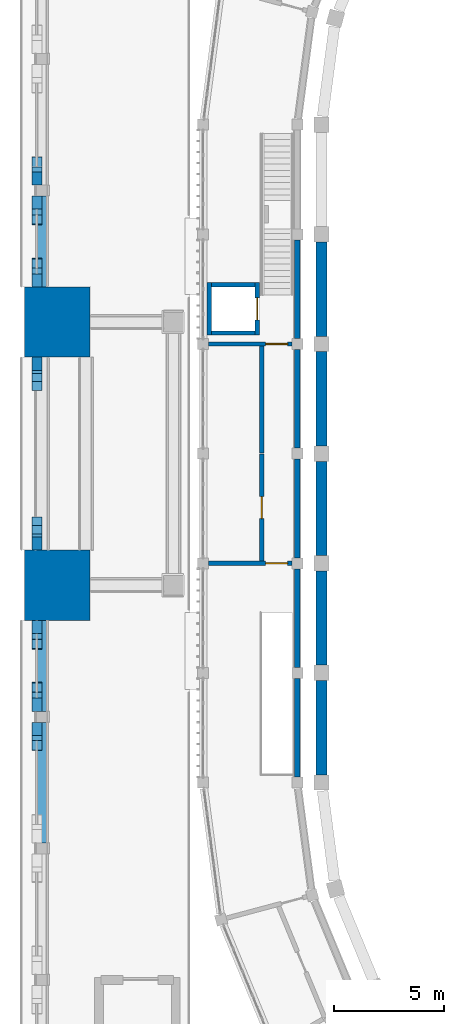
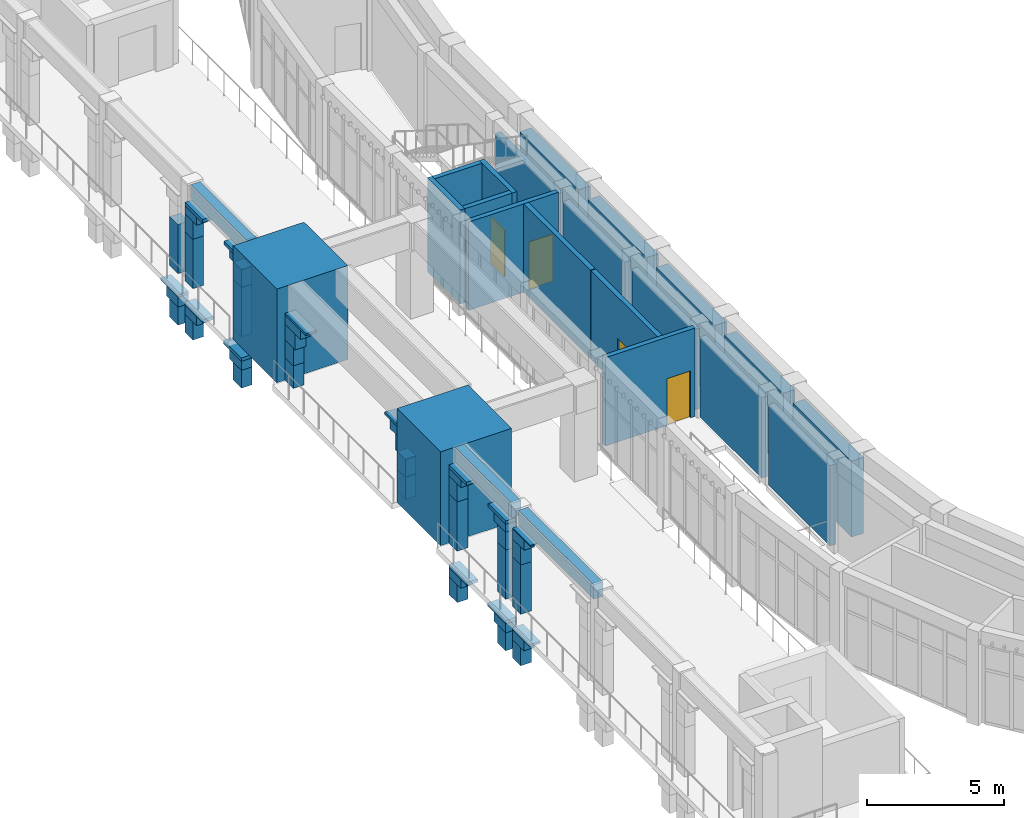
# One storey, part 56 of 99: 72 walls, 4 doors, 4 openings.
"""IFC4 building model written with IfcOpenShell, lengths in metres."""

from ifc_helpers import new_model, si_unit, direction, frame, frame_2d, origin, place, context, subcontext, project, spatial, rectangle, extrude, material, layer, layer_set, type_object, element, fill, save


model = new_model("IFC4")

# Units and contexts
model_context = context("Model", 3, precision=1e-05, world=origin(), true_north=direction((0.0, 1.0)))
body_context = subcontext(model_context, "Body", "Model", "MODEL_VIEW")
ifc_project = project(units=[si_unit("LENGTHUNIT", "METRE"), si_unit("AREAUNIT", "SQUARE_METRE"), si_unit("VOLUMEUNIT", "CUBIC_METRE"), si_unit("PLANEANGLEUNIT", "RADIAN"), si_unit("MASSUNIT", "GRAM", prefix="KILO")], contexts=[model_context])

# Site, building, storey
site_placement = place(None, origin())
site = spatial("IfcSite", under=ifc_project, at=site_placement, CompositionType="ELEMENT")
building_placement = place(site_placement, origin())
building = spatial("IfcBuilding", under=site, at=building_placement, Name="Wasatch Bagh Community Centre", CompositionType="ELEMENT")
storey_placement = place(building_placement, frame((0.0, 0.0, 4.199951171875)))
storey = spatial("IfcBuildingStorey", under=building, at=storey_placement, Name="L01", CompositionType="ELEMENT", Elevation=4.199951171875)

# Walls
ifc_material_1 = material(Name="Concrete C40", Category="concrete")
ifc_layer_1 = layer(ifc_material_1, 3.0)
ifc_layer_set_1 = layer_set([ifc_layer_1], Name="Concrete C40")
wall_type_1 = type_object("IfcWallType", Name="CP-W7", PredefinedType="STANDARD", material=ifc_layer_set_1)
for number, where, z_axis, x_axis, name in (
    (1, (5.199951171875, 42.39990234375, 0.0), (0.0, 0.0, 1.0), (0.0, 1.0, 0.0), "CP-W7 iwan masonry mass 1"),
    (2, (5.199951171875, 54.39990234375, 0.0), (0.0, 0.0, 1.0), (0.0, 1.0, 0.0), "CP-W7 iwan masonry mass 2"),
):
    element("IfcWall", number, at=place(storey_placement, frame(where, z_axis=z_axis, x_axis=x_axis)), inside=storey, type_object=wall_type_1, Name=name, PredefinedType="STANDARD", context=body_context, shape_type="SweptSolid", body=[
        extrude(rectangle(XDim=3.2001953125, YDim=3.0, at=frame_2d((1.60009765625, 0.0))), origin(), (0.0, 0.0, 1.0), 4.199951171875),
    ])
ifc_layer_2 = layer(ifc_material_1, 0.39990234375)
ifc_layer_set_2 = layer_set([ifc_layer_2], Name="Concrete C40")
wall_type_2 = type_object("IfcWallType", Name="CT-W1", PredefinedType="STANDARD", material=ifc_layer_set_2)
wall_1_placement = place(storey_placement, frame((4.5, 32.25, 3.550048828125), z_axis=(0.0, 0.0, 1.0), x_axis=(0.0, 1.0, 0.0)))
element("IfcWall", 3, at=wall_1_placement, inside=storey, type_object=wall_type_2, Name="CT-W1 terrace arcade spandrel band 3", PredefinedType="STANDARD", context=body_context, shape_type="SweptSolid", body=[
    extrude(rectangle(XDim=5.5, YDim=0.39990234375, at=frame_2d((2.75, 0.0))), origin(), (0.0, 0.0, 1.0), 0.64990234375),
])
for number, where, z_axis, x_axis, name in (
    (4, (4.5, 38.25, 3.550048828125), (0.0, 0.0, 1.0), (0.0, 1.0, 0.0), "CT-W1 terrace arcade spandrel band W1"),
    (5, (4.5, 57.60009765625, 3.550048828125), (0.0, 0.0, 1.0), (0.0, 1.0, 0.0), "CT-W1 terrace arcade spandrel band W2"),
):
    element("IfcWall", number, at=place(storey_placement, frame(where, z_axis=z_axis, x_axis=x_axis)), inside=storey, type_object=wall_type_2, Name=name, PredefinedType="STANDARD", context=body_context, shape_type="SweptSolid", body=[
        extrude(rectangle(XDim=4.14990234375, YDim=0.39990234375, at=frame_2d((2.074951171875, 0.0))), origin(), (0.0, 0.0, 1.0), 0.64990234375),
    ])
ifc_layer_3 = layer(ifc_material_1, 0.449951171875)
ifc_layer_set_3 = layer_set([ifc_layer_3], Name="Concrete C40")
wall_type_3 = type_object("IfcWallType", Name="CT-W6", PredefinedType="STANDARD", material=ifc_layer_set_3)
wall_2_placement = place(storey_placement, frame((4.27490234375, 37.75, -2.300048828125), z_axis=(0.0, 0.0, 1.0), x_axis=(0.0, -1.0, 0.0)))
element("IfcWall", 6, at=wall_2_placement, inside=storey, type_object=wall_type_3, Name="CT-W6 colonnade arch spandrel", PredefinedType="STANDARD", context=body_context, shape_type="SweptSolid", body=[
    extrude(rectangle(XDim=0.60009765625, YDim=0.449951171875, at=frame_2d((0.300048828125, 0.0))), origin(), (0.0, 0.0, 1.0), 0.800048828125),
])
wall_3_placement = place(storey_placement, frame((4.27490234375, 37.75, -1.5), z_axis=(0.0, 0.0, 1.0), x_axis=(0.0, -1.0, 0.0)))
element("IfcWall", 7, at=wall_3_placement, inside=storey, type_object=wall_type_3, Name="CT-W6 colonnade arch spandrel", PredefinedType="STANDARD", context=body_context, shape_type="SweptSolid", body=[
    extrude(rectangle(XDim=0.831298828125, YDim=0.449951171875, at=frame_2d((0.41552734375, 0.0))), origin(), (0.0, 0.0, 1.0), 0.449951171875),
])
wall_4_placement = place(storey_placement, frame((4.27490234375, 37.75, -1.050048828125), z_axis=(0.0, 0.0, 1.0), x_axis=(0.0, -1.0, 0.0)))
element("IfcWall", 8, at=wall_4_placement, inside=storey, type_object=wall_type_3, Name="CT-W6 colonnade arch spandrel", PredefinedType="STANDARD", context=body_context, shape_type="SweptSolid", body=[
    extrude(rectangle(XDim=1.271728515625, YDim=0.449951171875, at=frame_2d((0.6357421875, 0.0))), origin(), (0.0, 0.0, 1.0), 0.10009765625),
])
wall_5_placement = place(storey_placement, frame((4.27490234375, 62.25, -2.300048828125), z_axis=(0.0, 0.0, 1.0), x_axis=(0.0, 1.0, 0.0)))
element("IfcWall", 9, at=wall_5_placement, inside=storey, type_object=wall_type_3, Name="CT-W6 colonnade arch spandrel", PredefinedType="STANDARD", context=body_context, shape_type="SweptSolid", body=[
    extrude(rectangle(XDim=0.60009765625, YDim=0.449951171875, at=frame_2d((0.300048828125, 0.0))), origin(), (0.0, 0.0, 1.0), 0.800048828125),
])
wall_6_placement = place(storey_placement, frame((4.27490234375, 62.25, -1.5), z_axis=(0.0, 0.0, 1.0), x_axis=(0.0, 1.0, 0.0)))
element("IfcWall", 10, at=wall_6_placement, inside=storey, type_object=wall_type_3, Name="CT-W6 colonnade arch spandrel", PredefinedType="STANDARD", context=body_context, shape_type="SweptSolid", body=[
    extrude(rectangle(XDim=0.831298828125, YDim=0.449951171875, at=frame_2d((0.41552734375, 0.0))), origin(), (0.0, 0.0, 1.0), 0.449951171875),
])
wall_7_placement = place(storey_placement, frame((4.27490234375, 62.25, -1.050048828125), z_axis=(0.0, 0.0, 1.0), x_axis=(0.0, 1.0, 0.0)))
element("IfcWall", 11, at=wall_7_placement, inside=storey, type_object=wall_type_3, Name="CT-W6 colonnade arch spandrel", PredefinedType="STANDARD", context=body_context, shape_type="SweptSolid", body=[
    extrude(rectangle(XDim=1.271728515625, YDim=0.449951171875, at=frame_2d((0.6357421875, 0.0))), origin(), (0.0, 0.0, 1.0), 0.10009765625),
])
for number, where, z_axis, x_axis, name in (
    (12, (4.27490234375, 45.60009765625, 0.0), (0.0, 0.0, 1.0), (0.0, 1.0, 0.0), "CT-W6 portal arcade pier panel"),
    (13, (4.27490234375, 54.39990234375, 0.0), (0.0, 0.0, 1.0), (0.0, -1.0, 0.0), "CT-W6 portal arcade pier panel"),
):
    element("IfcWall", number, at=place(storey_placement, frame(where, z_axis=z_axis, x_axis=x_axis)), inside=storey, type_object=wall_type_3, Name=name, PredefinedType="STANDARD", context=body_context, shape_type="SweptSolid", body=[
        extrude(rectangle(XDim=0.599853515625, YDim=0.449951171875, at=frame_2d((0.2998046875, 0.0))), origin(), (0.0, 0.0, 1.0), 1.0),
    ])
for number, where, z_axis, x_axis, name in (
    (14, (4.27490234375, 45.60009765625, 1.0), (0.0, 0.0, 1.0), (0.0, 1.0, 0.0), "CT-W6 portal arcade arch spandrel"),
    (15, (4.27490234375, 54.39990234375, 1.0), (0.0, 0.0, 1.0), (0.0, -1.0, 0.0), "CT-W6 portal arcade arch spandrel"),
):
    element("IfcWall", number, at=place(storey_placement, frame(where, z_axis=z_axis, x_axis=x_axis)), inside=storey, type_object=wall_type_3, Name=name, PredefinedType="STANDARD", context=body_context, shape_type="SweptSolid", body=[
        extrude(rectangle(XDim=0.599853515625, YDim=0.449951171875, at=frame_2d((0.2998046875, 0.0))), origin(), (0.0, 0.0, 1.0), 0.800048828125),
    ])
for number, where, z_axis, x_axis, name in (
    (16, (4.27490234375, 45.60009765625, 1.800048828125), (0.0, 0.0, 1.0), (0.0, 1.0, 0.0), "CT-W6 portal arcade arch spandrel"),
    (17, (4.27490234375, 54.39990234375, 1.800048828125), (0.0, 0.0, 1.0), (0.0, -1.0, 0.0), "CT-W6 portal arcade arch spandrel"),
):
    element("IfcWall", number, at=place(storey_placement, frame(where, z_axis=z_axis, x_axis=x_axis)), inside=storey, type_object=wall_type_3, Name=name, PredefinedType="STANDARD", context=body_context, shape_type="SweptSolid", body=[
        extrude(rectangle(XDim=0.735595703125, YDim=0.449951171875, at=frame_2d((0.36767578125, 0.0))), origin(), (0.0, 0.0, 1.0), 0.699951171875),
    ])
for number, where, z_axis, x_axis, name in (
    (18, (4.27490234375, 45.60009765625, 2.5), (0.0, 0.0, 1.0), (0.0, 1.0, 0.0), "CT-W6 portal arcade arch spandrel"),
    (19, (4.27490234375, 54.39990234375, 2.5), (0.0, 0.0, 1.0), (0.0, -1.0, 0.0), "CT-W6 portal arcade arch spandrel"),
):
    element("IfcWall", number, at=place(storey_placement, frame(where, z_axis=z_axis, x_axis=x_axis)), inside=storey, type_object=wall_type_3, Name=name, PredefinedType="STANDARD", context=body_context, shape_type="SweptSolid", body=[
        extrude(rectangle(XDim=1.119140625, YDim=0.449951171875, at=frame_2d((0.5595703125, 0.0))), origin(), (0.0, 0.0, 1.0), 0.400146484375),
    ])
for number, where, z_axis, x_axis, name in (
    (20, (4.27490234375, 45.60009765625, 2.900146484375), (0.0, 0.0, 1.0), (0.0, 1.0, 0.0), "CT-W6 portal arcade arch spandrel"),
    (21, (4.27490234375, 54.39990234375, 2.900146484375), (0.0, 0.0, 1.0), (0.0, -1.0, 0.0), "CT-W6 portal arcade arch spandrel"),
):
    element("IfcWall", number, at=place(storey_placement, frame(where, z_axis=z_axis, x_axis=x_axis)), inside=storey, type_object=wall_type_3, Name=name, PredefinedType="STANDARD", context=body_context, shape_type="SweptSolid", body=[
        extrude(rectangle(XDim=1.517333984375, YDim=0.449951171875, at=frame_2d((0.7587890625, 0.0))), origin(), (0.0, 0.0, 1.0), 0.099853515625),
    ])
wall_8_placement = place(storey_placement, frame((4.27490234375, 37.75, 0.0), z_axis=(0.0, 0.0, 1.0), x_axis=(0.0, -1.0, 0.0)))
element("IfcWall", 22, at=wall_8_placement, inside=storey, type_object=wall_type_3, Name="CT-W6 colonnade pier panel", PredefinedType="STANDARD", context=body_context, shape_type="SweptSolid", body=[
    extrude(rectangle(XDim=0.60009765625, YDim=0.449951171875, at=frame_2d((0.300048828125, 0.0))), origin(), (0.0, 0.0, 1.0), 2.199951171875),
])
wall_9_placement = place(storey_placement, frame((4.27490234375, 37.75, 2.199951171875), z_axis=(0.0, 0.0, 1.0), x_axis=(0.0, -1.0, 0.0)))
element("IfcWall", 23, at=wall_9_placement, inside=storey, type_object=wall_type_3, Name="CT-W6 colonnade arch spandrel", PredefinedType="STANDARD", context=body_context, shape_type="SweptSolid", body=[
    extrude(rectangle(XDim=0.60009765625, YDim=0.449951171875, at=frame_2d((0.300048828125, 0.0))), origin(), (0.0, 0.0, 1.0), 0.800048828125),
])
wall_10_placement = place(storey_placement, frame((4.27490234375, 37.75, 3.0), z_axis=(0.0, 0.0, 1.0), x_axis=(0.0, -1.0, 0.0)))
element("IfcWall", 24, at=wall_10_placement, inside=storey, type_object=wall_type_3, Name="CT-W6 colonnade arch spandrel", PredefinedType="STANDARD", context=body_context, shape_type="SweptSolid", body=[
    extrude(rectangle(XDim=0.837158203125, YDim=0.449951171875, at=frame_2d((0.41845703125, 0.0))), origin(), (0.0, 0.0, 1.0), 0.449951171875),
])
wall_11_placement = place(storey_placement, frame((4.27490234375, 37.75, 3.449951171875), z_axis=(0.0, 0.0, 1.0), x_axis=(0.0, -1.0, 0.0)))
element("IfcWall", 25, at=wall_11_placement, inside=storey, type_object=wall_type_3, Name="CT-W6 colonnade arch spandrel", PredefinedType="STANDARD", context=body_context, shape_type="SweptSolid", body=[
    extrude(rectangle(XDim=1.29833984375, YDim=0.449951171875, at=frame_2d((0.649169921875, 0.0))), origin(), (0.0, 0.0, 1.0), 0.050048828125),
])
wall_12_placement = place(storey_placement, frame((4.27490234375, 62.25, 0.0), z_axis=(0.0, 0.0, 1.0), x_axis=(0.0, 1.0, 0.0)))
element("IfcWall", 26, at=wall_12_placement, inside=storey, type_object=wall_type_3, Name="CT-W6 colonnade pier panel", PredefinedType="STANDARD", context=body_context, shape_type="SweptSolid", body=[
    extrude(rectangle(XDim=0.60009765625, YDim=0.449951171875, at=frame_2d((0.300048828125, 0.0))), origin(), (0.0, 0.0, 1.0), 2.199951171875),
])
wall_13_placement = place(storey_placement, frame((4.27490234375, 38.25, -2.300048828125), z_axis=(0.0, 0.0, 1.0), x_axis=(0.0, 1.0, 0.0)))
element("IfcWall", 27, at=wall_13_placement, inside=storey, type_object=wall_type_3, Name="CT-W6 colonnade arch spandrel", PredefinedType="STANDARD", context=body_context, shape_type="SweptSolid", body=[
    extrude(rectangle(XDim=0.60009765625, YDim=0.449951171875, at=frame_2d((0.300048828125, 0.0))), origin(), (0.0, 0.0, 1.0), 0.800048828125),
])
wall_14_placement = place(storey_placement, frame((4.27490234375, 42.39990234375, -2.300048828125), z_axis=(0.0, 0.0, 1.0), x_axis=(0.0, -1.0, 0.0)))
element("IfcWall", 28, at=wall_14_placement, inside=storey, type_object=wall_type_3, Name="CT-W6 colonnade arch spandrel", PredefinedType="STANDARD", context=body_context, shape_type="SweptSolid", body=[
    extrude(rectangle(XDim=0.599853515625, YDim=0.449951171875, at=frame_2d((0.2998046875, 0.0))), origin(), (0.0, 0.0, 1.0), 0.800048828125),
])
wall_15_placement = place(storey_placement, frame((4.27490234375, 38.25, -1.5), z_axis=(0.0, 0.0, 1.0), x_axis=(0.0, 1.0, 0.0)))
element("IfcWall", 29, at=wall_15_placement, inside=storey, type_object=wall_type_3, Name="CT-W6 colonnade arch spandrel", PredefinedType="STANDARD", context=body_context, shape_type="SweptSolid", body=[
    extrude(rectangle(XDim=0.861328125, YDim=0.449951171875, at=frame_2d((0.4306640625, 0.0))), origin(), (0.0, 0.0, 1.0), 0.400146484375),
])
wall_16_placement = place(storey_placement, frame((4.27490234375, 42.39990234375, -1.5), z_axis=(0.0, 0.0, 1.0), x_axis=(0.0, -1.0, 0.0)))
element("IfcWall", 30, at=wall_16_placement, inside=storey, type_object=wall_type_3, Name="CT-W6 colonnade arch spandrel", PredefinedType="STANDARD", context=body_context, shape_type="SweptSolid", body=[
    extrude(rectangle(XDim=0.861083984375, YDim=0.449951171875, at=frame_2d((0.4306640625, 0.0))), origin(), (0.0, 0.0, 1.0), 0.400146484375),
])
wall_17_placement = place(storey_placement, frame((4.27490234375, 38.25, -1.099853515625), z_axis=(0.0, 0.0, 1.0), x_axis=(0.0, 1.0, 0.0)))
element("IfcWall", 31, at=wall_17_placement, inside=storey, type_object=wall_type_3, Name="CT-W6 colonnade arch spandrel", PredefinedType="STANDARD", context=body_context, shape_type="SweptSolid", body=[
    extrude(rectangle(XDim=1.325439453125, YDim=0.449951171875, at=frame_2d((0.66259765625, 0.0))), origin(), (0.0, 0.0, 1.0), 0.14990234375),
])
wall_18_placement = place(storey_placement, frame((4.27490234375, 42.39990234375, -1.099853515625), z_axis=(0.0, 0.0, 1.0), x_axis=(0.0, -1.0, 0.0)))
element("IfcWall", 32, at=wall_18_placement, inside=storey, type_object=wall_type_3, Name="CT-W6 colonnade arch spandrel", PredefinedType="STANDARD", context=body_context, shape_type="SweptSolid", body=[
    extrude(rectangle(XDim=1.3251953125, YDim=0.449951171875, at=frame_2d((0.66259765625, 0.0))), origin(), (0.0, 0.0, 1.0), 0.14990234375),
])
wall_19_placement = place(storey_placement, frame((4.27490234375, 38.25, 0.0), z_axis=(0.0, 0.0, 1.0), x_axis=(0.0, 1.0, 0.0)))
element("IfcWall", 33, at=wall_19_placement, inside=storey, type_object=wall_type_3, Name="CT-W6 colonnade pier panel", PredefinedType="STANDARD", context=body_context, shape_type="SweptSolid", body=[
    extrude(rectangle(XDim=0.60009765625, YDim=0.449951171875, at=frame_2d((0.300048828125, 0.0))), origin(), (0.0, 0.0, 1.0), 2.199951171875),
])
wall_20_placement = place(storey_placement, frame((4.27490234375, 42.39990234375, 0.0), z_axis=(0.0, 0.0, 1.0), x_axis=(0.0, -1.0, 0.0)))
element("IfcWall", 34, at=wall_20_placement, inside=storey, type_object=wall_type_3, Name="CT-W6 colonnade pier panel", PredefinedType="STANDARD", context=body_context, shape_type="SweptSolid", body=[
    extrude(rectangle(XDim=0.599853515625, YDim=0.449951171875, at=frame_2d((0.2998046875, 0.0))), origin(), (0.0, 0.0, 1.0), 2.199951171875),
])
wall_21_placement = place(storey_placement, frame((4.27490234375, 38.25, 2.199951171875), z_axis=(0.0, 0.0, 1.0), x_axis=(0.0, 1.0, 0.0)))
element("IfcWall", 35, at=wall_21_placement, inside=storey, type_object=wall_type_3, Name="CT-W6 colonnade arch spandrel", PredefinedType="STANDARD", context=body_context, shape_type="SweptSolid", body=[
    extrude(rectangle(XDim=0.60009765625, YDim=0.449951171875, at=frame_2d((0.300048828125, 0.0))), origin(), (0.0, 0.0, 1.0), 0.800048828125),
])
wall_22_placement = place(storey_placement, frame((4.27490234375, 42.39990234375, 2.199951171875), z_axis=(0.0, 0.0, 1.0), x_axis=(0.0, -1.0, 0.0)))
element("IfcWall", 36, at=wall_22_placement, inside=storey, type_object=wall_type_3, Name="CT-W6 colonnade arch spandrel", PredefinedType="STANDARD", context=body_context, shape_type="SweptSolid", body=[
    extrude(rectangle(XDim=0.599853515625, YDim=0.449951171875, at=frame_2d((0.2998046875, 0.0))), origin(), (0.0, 0.0, 1.0), 0.800048828125),
])
for number, where, z_axis, x_axis, name in (
    (37, (4.27490234375, 38.25, 3.0), (0.0, 0.0, 1.0), (0.0, 1.0, 0.0), "CT-W6 colonnade arch spandrel"),
    (38, (4.27490234375, 42.39990234375, 3.0), (0.0, 0.0, 1.0), (0.0, -1.0, 0.0), "CT-W6 colonnade arch spandrel"),
):
    element("IfcWall", number, at=place(storey_placement, frame(where, z_axis=z_axis, x_axis=x_axis)), inside=storey, type_object=wall_type_3, Name=name, PredefinedType="STANDARD", context=body_context, shape_type="SweptSolid", body=[
        extrude(rectangle(XDim=0.87255859375, YDim=0.449951171875, at=frame_2d((0.436279296875, 0.0))), origin(), (0.0, 0.0, 1.0), 0.35009765625),
    ])
for number, where, z_axis, x_axis, name in (
    (39, (4.27490234375, 38.25, 3.35009765625), (0.0, 0.0, 1.0), (0.0, 1.0, 0.0), "CT-W6 colonnade arch spandrel"),
    (40, (4.27490234375, 42.39990234375, 3.35009765625), (0.0, 0.0, 1.0), (0.0, -1.0, 0.0), "CT-W6 colonnade arch spandrel"),
):
    element("IfcWall", number, at=place(storey_placement, frame(where, z_axis=z_axis, x_axis=x_axis)), inside=storey, type_object=wall_type_3, Name=name, PredefinedType="STANDARD", context=body_context, shape_type="SweptSolid", body=[
        extrude(rectangle(XDim=1.2822265625, YDim=0.449951171875, at=frame_2d((0.64111328125, 0.0))), origin(), (0.0, 0.0, 1.0), 0.14990234375),
    ])
wall_23_placement = place(storey_placement, frame((4.27490234375, 57.60009765625, -2.300048828125), z_axis=(0.0, 0.0, 1.0), x_axis=(0.0, 1.0, 0.0)))
element("IfcWall", 41, at=wall_23_placement, inside=storey, type_object=wall_type_3, Name="CT-W6 colonnade arch spandrel", PredefinedType="STANDARD", context=body_context, shape_type="SweptSolid", body=[
    extrude(rectangle(XDim=0.599853515625, YDim=0.449951171875, at=frame_2d((0.2998046875, 0.0))), origin(), (0.0, 0.0, 1.0), 0.800048828125),
])
wall_24_placement = place(storey_placement, frame((4.27490234375, 61.75, -2.300048828125), z_axis=(0.0, 0.0, 1.0), x_axis=(0.0, -1.0, 0.0)))
element("IfcWall", 42, at=wall_24_placement, inside=storey, type_object=wall_type_3, Name="CT-W6 colonnade arch spandrel", PredefinedType="STANDARD", context=body_context, shape_type="SweptSolid", body=[
    extrude(rectangle(XDim=0.60009765625, YDim=0.449951171875, at=frame_2d((0.300048828125, 0.0))), origin(), (0.0, 0.0, 1.0), 0.800048828125),
])
wall_25_placement = place(storey_placement, frame((4.27490234375, 57.60009765625, -1.5), z_axis=(0.0, 0.0, 1.0), x_axis=(0.0, 1.0, 0.0)))
element("IfcWall", 43, at=wall_25_placement, inside=storey, type_object=wall_type_3, Name="CT-W6 colonnade arch spandrel", PredefinedType="STANDARD", context=body_context, shape_type="SweptSolid", body=[
    extrude(rectangle(XDim=0.861083984375, YDim=0.449951171875, at=frame_2d((0.4306640625, 0.0))), origin(), (0.0, 0.0, 1.0), 0.400146484375),
])
wall_26_placement = place(storey_placement, frame((4.27490234375, 61.75, -1.5), z_axis=(0.0, 0.0, 1.0), x_axis=(0.0, -1.0, 0.0)))
element("IfcWall", 44, at=wall_26_placement, inside=storey, type_object=wall_type_3, Name="CT-W6 colonnade arch spandrel", PredefinedType="STANDARD", context=body_context, shape_type="SweptSolid", body=[
    extrude(rectangle(XDim=0.861328125, YDim=0.449951171875, at=frame_2d((0.4306640625, 0.0))), origin(), (0.0, 0.0, 1.0), 0.400146484375),
])
wall_27_placement = place(storey_placement, frame((4.27490234375, 57.60009765625, -1.099853515625), z_axis=(0.0, 0.0, 1.0), x_axis=(0.0, 1.0, 0.0)))
element("IfcWall", 45, at=wall_27_placement, inside=storey, type_object=wall_type_3, Name="CT-W6 colonnade arch spandrel", PredefinedType="STANDARD", context=body_context, shape_type="SweptSolid", body=[
    extrude(rectangle(XDim=1.3251953125, YDim=0.449951171875, at=frame_2d((0.66259765625, 0.0))), origin(), (0.0, 0.0, 1.0), 0.14990234375),
])
wall_28_placement = place(storey_placement, frame((4.27490234375, 61.75, -1.099853515625), z_axis=(0.0, 0.0, 1.0), x_axis=(0.0, -1.0, 0.0)))
element("IfcWall", 46, at=wall_28_placement, inside=storey, type_object=wall_type_3, Name="CT-W6 colonnade arch spandrel", PredefinedType="STANDARD", context=body_context, shape_type="SweptSolid", body=[
    extrude(rectangle(XDim=1.325439453125, YDim=0.449951171875, at=frame_2d((0.66259765625, 0.0))), origin(), (0.0, 0.0, 1.0), 0.14990234375),
])
wall_29_placement = place(storey_placement, frame((4.27490234375, 57.60009765625, 0.0), z_axis=(0.0, 0.0, 1.0), x_axis=(0.0, 1.0, 0.0)))
element("IfcWall", 47, at=wall_29_placement, inside=storey, type_object=wall_type_3, Name="CT-W6 colonnade pier panel", PredefinedType="STANDARD", context=body_context, shape_type="SweptSolid", body=[
    extrude(rectangle(XDim=0.599853515625, YDim=0.449951171875, at=frame_2d((0.2998046875, 0.0))), origin(), (0.0, 0.0, 1.0), 2.199951171875),
])
wall_30_placement = place(storey_placement, frame((4.27490234375, 61.75, 0.0), z_axis=(0.0, 0.0, 1.0), x_axis=(0.0, -1.0, 0.0)))
element("IfcWall", 48, at=wall_30_placement, inside=storey, type_object=wall_type_3, Name="CT-W6 colonnade pier panel", PredefinedType="STANDARD", context=body_context, shape_type="SweptSolid", body=[
    extrude(rectangle(XDim=0.60009765625, YDim=0.449951171875, at=frame_2d((0.300048828125, 0.0))), origin(), (0.0, 0.0, 1.0), 2.199951171875),
])
wall_31_placement = place(storey_placement, frame((4.27490234375, 57.60009765625, 2.199951171875), z_axis=(0.0, 0.0, 1.0), x_axis=(0.0, 1.0, 0.0)))
element("IfcWall", 49, at=wall_31_placement, inside=storey, type_object=wall_type_3, Name="CT-W6 colonnade arch spandrel", PredefinedType="STANDARD", context=body_context, shape_type="SweptSolid", body=[
    extrude(rectangle(XDim=0.599853515625, YDim=0.449951171875, at=frame_2d((0.2998046875, 0.0))), origin(), (0.0, 0.0, 1.0), 0.800048828125),
])
wall_32_placement = place(storey_placement, frame((4.27490234375, 61.75, 2.199951171875), z_axis=(0.0, 0.0, 1.0), x_axis=(0.0, -1.0, 0.0)))
element("IfcWall", 50, at=wall_32_placement, inside=storey, type_object=wall_type_3, Name="CT-W6 colonnade arch spandrel", PredefinedType="STANDARD", context=body_context, shape_type="SweptSolid", body=[
    extrude(rectangle(XDim=0.60009765625, YDim=0.449951171875, at=frame_2d((0.300048828125, 0.0))), origin(), (0.0, 0.0, 1.0), 0.800048828125),
])
for number, where, z_axis, x_axis, name in (
    (51, (4.27490234375, 57.60009765625, 3.0), (0.0, 0.0, 1.0), (0.0, 1.0, 0.0), "CT-W6 colonnade arch spandrel"),
    (52, (4.27490234375, 61.75, 3.0), (0.0, 0.0, 1.0), (0.0, -1.0, 0.0), "CT-W6 colonnade arch spandrel"),
):
    element("IfcWall", number, at=place(storey_placement, frame(where, z_axis=z_axis, x_axis=x_axis)), inside=storey, type_object=wall_type_3, Name=name, PredefinedType="STANDARD", context=body_context, shape_type="SweptSolid", body=[
        extrude(rectangle(XDim=0.87255859375, YDim=0.449951171875, at=frame_2d((0.436279296875, 0.0))), origin(), (0.0, 0.0, 1.0), 0.35009765625),
    ])
for number, where, z_axis, x_axis, name in (
    (53, (4.27490234375, 57.60009765625, 3.35009765625), (0.0, 0.0, 1.0), (0.0, 1.0, 0.0), "CT-W6 colonnade arch spandrel"),
    (54, (4.27490234375, 61.75, 3.35009765625), (0.0, 0.0, 1.0), (0.0, -1.0, 0.0), "CT-W6 colonnade arch spandrel"),
):
    element("IfcWall", number, at=place(storey_placement, frame(where, z_axis=z_axis, x_axis=x_axis)), inside=storey, type_object=wall_type_3, Name=name, PredefinedType="STANDARD", context=body_context, shape_type="SweptSolid", body=[
        extrude(rectangle(XDim=1.2822265625, YDim=0.449951171875, at=frame_2d((0.64111328125, 0.0))), origin(), (0.0, 0.0, 1.0), 0.14990234375),
    ])

# Wall, opening, door
ifc_layer_4 = layer(ifc_material_1, 0.199951171875)
ifc_layer_set_4 = layer_set([ifc_layer_4], Name="Concrete C40")
wall_type_4 = type_object("IfcWallType", Name="Drum core wall RC WALL 200", PredefinedType="STANDARD", material=ifc_layer_set_4)
wall_33_placement = place(storey_placement, frame((15.89990234375, 55.0, 0.0), z_axis=(0.0, 0.0, 1.0), x_axis=(-1.0, 0.0, 0.0)))
wall_33 = element("IfcWall", 55, at=wall_33_placement, inside=storey, type_object=wall_type_4, Name="Partition 32", PredefinedType="STANDARD", context=body_context, shape_type="SweptSolid", body=[
    extrude(rectangle(XDim=3.7998046875, YDim=0.199951171875, at=frame_2d((1.89990234375, 0.0))), origin(), (0.0, 0.0, 1.0), 3.949951171875),
])
opening_1_placement = place(wall_33_placement, frame((0.199951171875, 0.0, 0.0)))
opening_1 = element("IfcOpeningElement", 56, at=opening_1_placement, cuts=wall_33, Name="Opening 0F-27", PredefinedType="OPENING", context=body_context, shape_type="SweptSolid", body=[
    extrude(rectangle(XDim=1.0, YDim=2.10009765625, at=frame_2d((0.5, 1.050048828125))), frame((0.0, 0.10986328125, 0.0), z_axis=(0.0, -1.0, 0.0), x_axis=(1.0, 0.0, 0.0)), (0.0, 0.0, 1.0), 0.219970703125),
])
ifc_material_2 = material(Name="Timber door leaf in steel frame", Category="steel")
door_type_1 = type_object("IfcDoorType", Name="Drum door single 1000 x 2100", OperationType="SINGLE_SWING_LEFT", PredefinedType="DOOR", material=ifc_material_2)
door_1_placement = place(opening_1_placement, origin())
door_1 = element("IfcDoor", 57, at=door_1_placement, inside=storey, type_object=door_type_1, Name="Door 0F-27", OperationType="SINGLE_SWING_LEFT", OverallHeight=2.10009765625, OverallWidth=1.0, PredefinedType="DOOR", context=body_context, shape_type="SweptSolid", body=[
    extrude(rectangle(XDim=1.0, YDim=2.10009765625, at=frame_2d((0.5, 1.050048828125))), frame((0.0, 0.02490234375, 0.0), z_axis=(0.0, -1.0, 0.0), x_axis=(1.0, 0.0, 0.0)), (0.0, 0.0, 1.0), 0.050048828125),
])
fill(opening_1, door_1)

wall_34_placement = place(storey_placement, frame((15.89990234375, 45.0, 0.0), z_axis=(0.0, 0.0, 1.0), x_axis=(-1.0, 0.0, 0.0)))
wall_34 = element("IfcWall", 58, at=wall_34_placement, inside=storey, type_object=wall_type_4, Name="Partition 34", PredefinedType="STANDARD", context=body_context, shape_type="SweptSolid", body=[
    extrude(rectangle(XDim=3.7998046875, YDim=0.199951171875, at=frame_2d((1.89990234375, 0.0))), origin(), (0.0, 0.0, 1.0), 3.949951171875),
])
opening_2_placement = place(wall_34_placement, frame((0.199951171875, 0.0, 0.0)))
opening_2 = element("IfcOpeningElement", 59, at=opening_2_placement, cuts=wall_34, Name="Opening 0F-28", PredefinedType="OPENING", context=body_context, shape_type="SweptSolid", body=[
    extrude(rectangle(XDim=1.0, YDim=2.10009765625, at=frame_2d((0.5, 1.050048828125))), frame((0.0, 0.10986328125, 0.0), z_axis=(0.0, -1.0, 0.0), x_axis=(1.0, 0.0, 0.0)), (0.0, 0.0, 1.0), 0.219970703125),
])
door_2_placement = place(opening_2_placement, origin())
door_2 = element("IfcDoor", 60, at=door_2_placement, inside=storey, type_object=door_type_1, Name="Door 0F-28", OperationType="SINGLE_SWING_RIGHT", OverallHeight=2.10009765625, OverallWidth=1.0, PredefinedType="DOOR", context=body_context, shape_type="SweptSolid", body=[
    extrude(rectangle(XDim=1.0, YDim=2.10009765625, at=frame_2d((0.5, 1.050048828125))), frame((0.0, 0.02490234375, 0.0), z_axis=(0.0, -1.0, 0.0), x_axis=(1.0, 0.0, 0.0)), (0.0, 0.0, 1.0), 0.050048828125),
])
fill(opening_2, door_2)

# Walls
ifc_layer_5 = layer(ifc_material_1, 0.25)
ifc_layer_set_5 = layer_set([ifc_layer_5], Name="Concrete C40")
wall_type_5 = type_object("IfcWallType", Name="Drum inner wall RC WALL 250", PredefinedType="SHEAR", material=ifc_layer_set_5)
for number, where, z_axis, x_axis, name in (
    (61, (16.14990234375, 59.74951171875, 0.0), (0.0, 0.0, 1.0), (0.0, -1.0, 0.0), "Inner wall 32"),
    (62, (16.14990234375, 54.74951171875, 0.0), (0.0, 0.0, 1.0), (0.0, -1.0, 0.0), "Inner wall 33"),
    (63, (16.14990234375, 49.74951171875, 0.0), (0.0, 0.0, 1.0), (0.0, -1.0, 0.0), "Inner wall 34"),
    (64, (16.14990234375, 44.74951171875, 0.0), (0.0, 0.0, 1.0), (0.0, -1.0, 0.0), "Inner wall 35"),
    (65, (16.14990234375, 39.74951171875, 0.0), (0.0, 0.0, 1.0), (0.0, -1.0, 0.0), "Inner wall 36"),
):
    element("IfcWall", number, at=place(storey_placement, frame(where, z_axis=z_axis, x_axis=x_axis)), inside=storey, type_object=wall_type_5, Name=name, PredefinedType="SHEAR", context=body_context, shape_type="SweptSolid", body=[
        extrude(rectangle(XDim=4.4990234375, YDim=0.25, at=frame_2d((2.24951171875, 0.0))), origin(), (0.0, 0.0, 1.0), 3.60009765625),
    ])

# Wall, opening, door
ifc_layer_6 = layer(ifc_material_1, 0.199951171875)
ifc_layer_set_6 = layer_set([ifc_layer_6], Name="Concrete C40")
wall_type_6 = type_object("IfcWallType", Name="Drum lift shaft wall RC WALL 200", PredefinedType="SHEAR", material=ifc_layer_set_6)
wall_35_placement = place(storey_placement, frame((14.324951171875, 57.800048828125, 0.0), z_axis=(0.0, 0.0, 1.0), x_axis=(0.0, -1.0, 0.0)))
wall_35 = element("IfcWall", 66, at=wall_35_placement, inside=storey, type_object=wall_type_6, Name="Lift shaft wall NW in", PredefinedType="SHEAR", context=body_context, shape_type="SweptSolid", body=[
    extrude(rectangle(XDim=2.400146484375, YDim=0.199951171875, at=frame_2d((1.2001953125, 0.0))), origin(), (0.0, 0.0, 1.0), 4.199951171875),
])
opening_3_placement = place(wall_35_placement, frame((0.699951171875, 0.0, 0.0)))
opening_3 = element("IfcOpeningElement", 67, at=opening_3_placement, cuts=wall_35, Name="Opening LD", PredefinedType="OPENING", context=body_context, shape_type="SweptSolid", body=[
    extrude(rectangle(XDim=1.0, YDim=2.10009765625, at=frame_2d((0.5, 1.050048828125))), frame((0.0, 0.10986328125, 0.0), z_axis=(0.0, -1.0, 0.0), x_axis=(1.0, 0.0, 0.0)), (0.0, 0.0, 1.0), 0.219970703125),
])
ifc_material_3 = material(Name="Stainless steel landing door", Category="steel")
door_type_2 = type_object("IfcDoorType", Name="Lift landing door 1000 x 2100", OperationType="SLIDING_TO_LEFT", PredefinedType="DOOR", material=ifc_material_3)
door_3_placement = place(opening_3_placement, origin())
door_3 = element("IfcDoor", 68, at=door_3_placement, inside=storey, type_object=door_type_2, Name="Lift landing door NW L01", OperationType="SLIDING_TO_LEFT", OverallHeight=2.10009765625, OverallWidth=1.0, PredefinedType="DOOR", context=body_context, shape_type="SweptSolid", body=[
    extrude(rectangle(XDim=1.0, YDim=2.10009765625, at=frame_2d((0.5, 1.050048828125))), frame((0.0, 0.02490234375, 0.0), z_axis=(0.0, -1.0, 0.0), x_axis=(1.0, 0.0, 0.0)), (0.0, 0.0, 1.0), 0.050048828125),
])
fill(opening_3, door_3)

# Walls
wall_36_placement = place(storey_placement, frame((12.125, 57.800048828125, 0.0), z_axis=(0.0, 0.0, 1.0), x_axis=(0.0, -1.0, 0.0)))
element("IfcWall", 69, at=wall_36_placement, inside=storey, type_object=wall_type_6, Name="Lift shaft wall NW out", PredefinedType="SHEAR", context=body_context, shape_type="SweptSolid", body=[
    extrude(rectangle(XDim=2.400146484375, YDim=0.199951171875, at=frame_2d((1.2001953125, 0.0))), origin(), (0.0, 0.0, 1.0), 4.199951171875),
])
for number, where, z_axis, x_axis, name in (
    (70, (14.22509765625, 57.699951171875, 0.0), (0.0, 0.0, 1.0), (-1.0, 0.0, 0.0), "Lift shaft wall NW a0"),
    (71, (14.22509765625, 55.5, 0.0), (0.0, 0.0, 1.0), (-1.0, 0.0, 0.0), "Lift shaft wall NW a1"),
):
    element("IfcWall", number, at=place(storey_placement, frame(where, z_axis=z_axis, x_axis=x_axis)), inside=storey, type_object=wall_type_6, Name=name, PredefinedType="SHEAR", context=body_context, shape_type="SweptSolid", body=[
        extrude(rectangle(XDim=2.0, YDim=0.199951171875, at=frame_2d((1.0, 0.0))), origin(), (0.0, 0.0, 1.0), 4.199951171875),
    ])
ifc_material_4 = material(Name="Gypsum board partition on steel studs", Category="steel")
ifc_layer_7 = layer(ifc_material_4, 0.199951171875)
ifc_layer_set_7 = layer_set([ifc_layer_7], Name="Gypsum board partition on steel studs")
wall_type_7 = type_object("IfcWallType", Name="Drum partition 200", PredefinedType="PARTITIONING", material=ifc_layer_set_7)
wall_37_placement = place(storey_placement, frame((14.52490234375, 54.8994140625, 0.0), z_axis=(0.0, 0.0, 1.0), x_axis=(0.0, -1.0, 0.0)))
element("IfcWall", 72, at=wall_37_placement, inside=storey, type_object=wall_type_7, Name="Corridor wall 33", PredefinedType="PARTITIONING", context=body_context, shape_type="SweptSolid", body=[
    extrude(rectangle(XDim=4.87939453125, YDim=0.199951171875, at=frame_2d((2.439697265625, 0.0))), origin(), (0.0, 0.0, 1.0), 3.949951171875),
])

# Wall, opening, door
wall_38_placement = place(storey_placement, frame((14.52490234375, 49.97998046875, 0.0), z_axis=(0.0, 0.0, 1.0), x_axis=(0.0, -1.0, 0.0)))
wall_38 = element("IfcWall", 73, at=wall_38_placement, inside=storey, type_object=wall_type_7, Name="Corridor wall 34", PredefinedType="PARTITIONING", context=body_context, shape_type="SweptSolid", body=[
    extrude(rectangle(XDim=4.87939453125, YDim=0.199951171875, at=frame_2d((2.439697265625, 0.0))), origin(), (0.0, 0.0, 1.0), 3.949951171875),
])
opening_4_placement = place(wall_38_placement, frame((1.939697265625, 0.0, 0.0)))
opening_4 = element("IfcOpeningElement", 74, at=opening_4_placement, cuts=wall_38, Name="Opening 0F-42", PredefinedType="OPENING", context=body_context, shape_type="SweptSolid", body=[
    extrude(rectangle(XDim=1.0, YDim=2.10009765625, at=frame_2d((0.5, 1.050048828125))), frame((0.0, 0.10986328125, 0.0), z_axis=(0.0, -1.0, 0.0), x_axis=(1.0, 0.0, 0.0)), (0.0, 0.0, 1.0), 0.219970703125),
])
door_4_placement = place(opening_4_placement, origin())
door_4 = element("IfcDoor", 75, at=door_4_placement, inside=storey, type_object=door_type_1, Name="Door 0F-42", OperationType="SINGLE_SWING_RIGHT", OverallHeight=2.10009765625, OverallWidth=1.0, PredefinedType="DOOR", context=body_context, shape_type="SweptSolid", body=[
    extrude(rectangle(XDim=1.0, YDim=2.10009765625, at=frame_2d((0.5, 1.050048828125))), frame((0.0, 0.02490234375, 0.0), z_axis=(0.0, -1.0, 0.0), x_axis=(1.0, 0.0, 0.0)), (0.0, 0.0, 1.0), 0.050048828125),
])
fill(opening_4, door_4)

# Walls
ifc_layer_8 = layer(ifc_material_1, 0.5)
ifc_layer_set_8 = layer_set([ifc_layer_8], Name="Concrete C40")
wall_type_8 = type_object("IfcWallType", Name="MH wall RC WALL 500", PredefinedType="SHEAR", material=ifc_layer_set_8)
for number, where, z_axis, x_axis, name in (
    (76, (17.25, 59.6494140625, 0.0), (0.0, 0.0, 1.0), (0.0, -1.0, 0.0), "Capsule wall 32"),
    (77, (17.25, 54.6494140625, 0.0), (0.0, 0.0, 1.0), (0.0, -1.0, 0.0), "Capsule wall 33"),
    (78, (17.25, 49.6494140625, 0.0), (0.0, 0.0, 1.0), (0.0, -1.0, 0.0), "Capsule wall 34"),
    (79, (17.25, 44.6494140625, 0.0), (0.0, 0.0, 1.0), (0.0, -1.0, 0.0), "Capsule wall 35"),
    (80, (17.25, 39.6494140625, 0.0), (0.0, 0.0, 1.0), (0.0, -1.0, 0.0), "Capsule wall 36"),
):
    element("IfcWall", number, at=place(storey_placement, frame(where, z_axis=z_axis, x_axis=x_axis)), inside=storey, type_object=wall_type_8, Name=name, PredefinedType="SHEAR", context=body_context, shape_type="SweptSolid", body=[
        extrude(rectangle(XDim=4.298828125, YDim=0.5, at=frame_2d((2.1494140625, 0.0))), origin(), (0.0, 0.0, 1.0), 3.400146484375),
    ])

save(model, "model.ifc")
